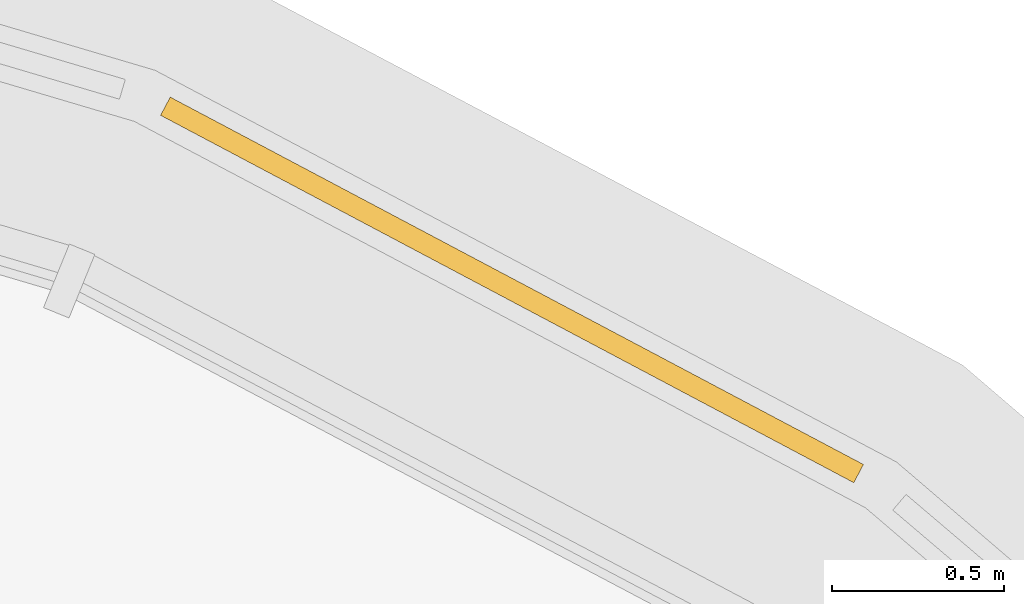
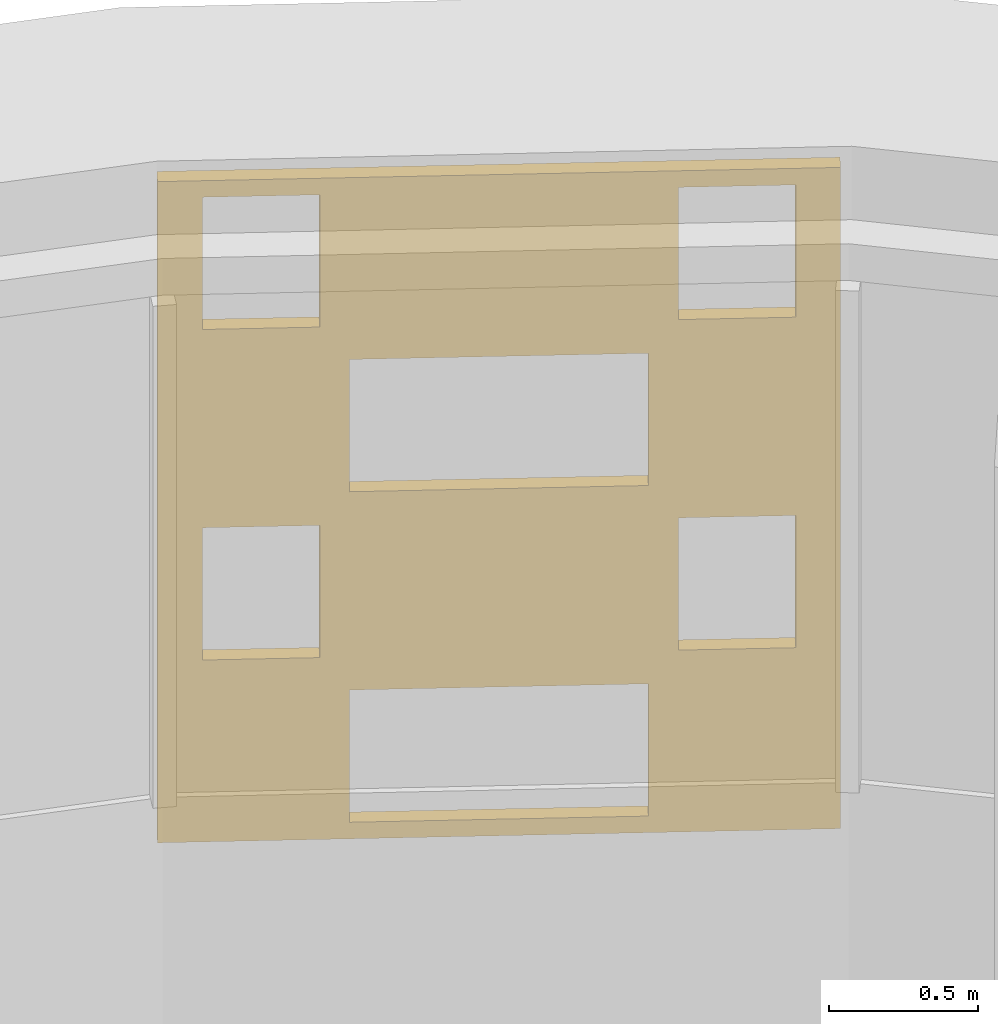
# One storey, part 15 of 15: 1 shading device.
"""IFC4 building model written with IfcOpenShell, lengths in metres."""

from ifc_helpers import new_model, si_unit, direction, frame, origin, place, context, subcontext, project, spatial, polyline, outline, extrude, material, layer, layer_set, type_object, element, save


model = new_model("IFC4")

# Units and contexts
model_context = context("Model", 3, precision=1e-05, world=origin(), true_north=direction((0.0, 1.0)))
body_context = subcontext(model_context, "Body", "Model", "MODEL_VIEW")
ifc_project = project(units=[si_unit("LENGTHUNIT", "METRE"), si_unit("AREAUNIT", "SQUARE_METRE"), si_unit("VOLUMEUNIT", "CUBIC_METRE"), si_unit("PLANEANGLEUNIT", "RADIAN"), si_unit("MASSUNIT", "GRAM", prefix="KILO")], contexts=[model_context])

# Site, building, storey
site_placement = place(None, origin())
site = spatial("IfcSite", under=ifc_project, at=site_placement, CompositionType="ELEMENT")
building_placement = place(site_placement, origin())
building = spatial("IfcBuilding", under=site, at=building_placement, Name="Noor Cloister Tower", CompositionType="ELEMENT")
storey_placement = place(building_placement, frame((0.0, 0.0, 174.300048828125)))
storey = spatial("IfcBuildingStorey", under=building, at=storey_placement, Name="L44", CompositionType="ELEMENT", Elevation=174.300048828125)

# Shading device
ifc_material = material(Name="Limestone", Category="masonry")
ifc_layer = layer(ifc_material, 0.06005859375)
ifc_layer_set = layer_set([ifc_layer], Name="SCREEN woven limestone pod 32 percent open")
shading_device_type = type_object("IfcShadingDeviceType", Name="SCREEN woven limestone pod 32 percent open", PredefinedType="USERDEFINED", material=ifc_layer_set)
shading_device_placement = place(storey_placement, frame((28.041259765625, 15.589599609375, 1.849853515625), z_axis=(0.468261847765, 0.883589747523, 0.0), x_axis=(-0.883589747523, 0.468261847765, 0.0)))
element("IfcShadingDevice", 1, at=shading_device_placement, inside=storey, type_object=shading_device_type, Name="SCREEN L44 12", ObjectType="SCREEN", PredefinedType="USERDEFINED", context=body_context, shape_type="SweptSolid", body=[
    extrude(outline(polyline([(-1.1435546875, -1.35009765625), (1.1435546875, -1.35009765625), (1.1435546875, 1.35009765625), (-1.1435546875, 1.35009765625), (-1.1435546875, -1.35009765625)]), holes=[polyline([(-0.5, -1.282470703125), (0.5, -1.282470703125), (0.5, -0.742431640625), (-0.5, -0.742431640625), (-0.5, -1.282470703125)]), polyline([(0.60009765625, -0.607421875), (0.993408203125, -0.607421875), (0.993408203125, -0.0673828125), (0.60009765625, -0.0673828125), (0.60009765625, -0.607421875)]), polyline([(-0.993408203125, -0.607421875), (-0.60009765625, -0.607421875), (-0.60009765625, -0.0673828125), (-0.993408203125, -0.0673828125), (-0.993408203125, -0.607421875)]), polyline([(-0.5, 0.0673828125), (0.5, 0.0673828125), (0.5, 0.607421875), (-0.5, 0.607421875), (-0.5, 0.0673828125)]), polyline([(0.60009765625, 0.742431640625), (0.993408203125, 0.742431640625), (0.993408203125, 1.282470703125), (0.60009765625, 1.282470703125), (0.60009765625, 0.742431640625)]), polyline([(-0.993408203125, 0.742431640625), (-0.60009765625, 0.742431640625), (-0.60009765625, 1.282470703125), (-0.993408203125, 1.282470703125), (-0.993408203125, 0.742431640625)])]), origin(), (0.0, 0.0, 1.0), 0.06005859375),
])

save(model, "model.ifc")
